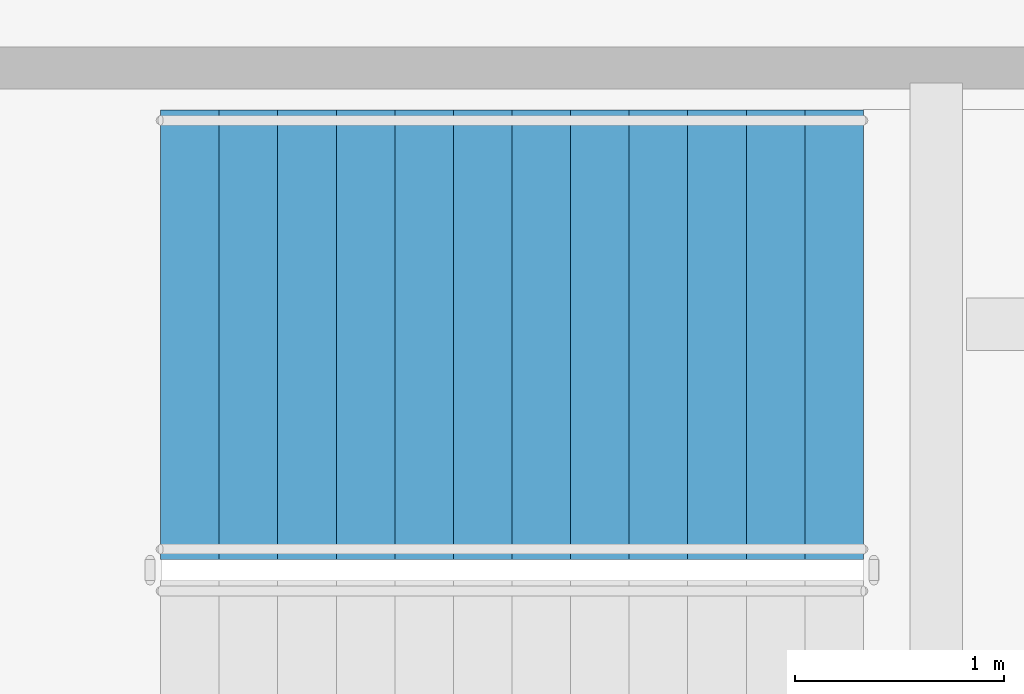
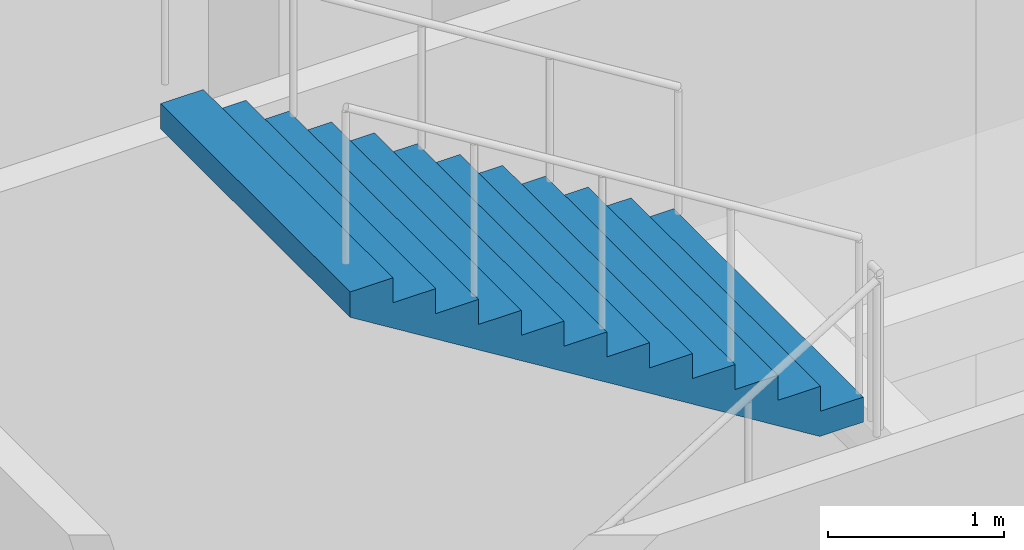
# One storey, part 14 of 20: 1 stair flight, 1 element without a shape of its own.
"""IFC4 building model written with IfcOpenShell, lengths in metres."""

from ifc_helpers import new_model, si_unit, direction, frame, origin, place, context, subcontext, project, spatial, triangles, material, type_object, element, aggregate, save


model = new_model("IFC4")

# Units and contexts
model_context = context("Model", 3, precision=1e-05, world=origin(), true_north=direction((0.0, 1.0)))
body_context = subcontext(model_context, "Body", "Model", "MODEL_VIEW")
ifc_project = project(units=[si_unit("LENGTHUNIT", "METRE"), si_unit("AREAUNIT", "SQUARE_METRE"), si_unit("VOLUMEUNIT", "CUBIC_METRE"), si_unit("PLANEANGLEUNIT", "RADIAN"), si_unit("MASSUNIT", "GRAM", prefix="KILO")], contexts=[model_context])

# Site, building, storey
site_placement = place(None, origin())
site = spatial("IfcSite", under=ifc_project, at=site_placement, CompositionType="ELEMENT")
building_placement = place(site_placement, origin())
building = spatial("IfcBuilding", under=site, at=building_placement, Name="Verdalira Terraces Hotel", CompositionType="ELEMENT")
storey_placement = place(building_placement, frame((0.0, 0.0, 23.5)))
storey = spatial("IfcBuildingStorey", under=building, at=storey_placement, Name="L04", CompositionType="ELEMENT", Elevation=23.5)

# Stair, stair flight
ifc_material_1 = material(Name="Concrete C40", Category="concrete")
stair_type = type_object("IfcStairType", Name="Podium stair 26 risers", PredefinedType="HALF_TURN_STAIR", material=ifc_material_1)
stair_placement = place(storey_placement, origin())
stair = element("IfcStair", 1, at=stair_placement, inside=storey, type_object=stair_type, Name="L04 Exit stair PS1", PredefinedType="HALF_TURN_STAIR")
ifc_material_2 = material(Name="Concrete C40", Category="concrete")
stair_flight_type = type_object("IfcStairFlightType", Name="Podium stair flight 26 risers", PredefinedType="STRAIGHT", material=ifc_material_2)
stair_flight_placement = place(storey_placement, frame((2.610107, 39.925049, 2.25), z_axis=(0.0, 0.0, 1.0), x_axis=(-1.0, 0.0, 0.0)))
stair_flight = element("IfcStairFlight", 2, at=stair_flight_placement, type_object=stair_flight_type, Name="PS1 flight 2", NumberOfRisers=13, NumberOfTreads=12, PredefinedType="STRAIGHT", RiserHeight=0.173076923, TreadLength=0.28, context=body_context, shape_type="Tessellation", body=[
    triangles([(0.0, 1.074951, 0.0), (0.285156, 1.074951, 0.0), (3.360107, 1.074951, 1.900635), (0.0, -1.074951, 0.0), (0.285156, -1.074951, 0.0), (3.360107, -1.074951, 1.900635), (3.360107, 1.074951, 2.076904), (3.080078, 1.074951, 2.076904), (3.360107, -1.074951, 2.076904), (3.080078, -1.074951, 2.076904), (3.080078, 1.074951, 1.903809), (3.080078, -1.074951, 1.903809), (2.800049, 1.074951, 1.903809), (2.800049, -1.074951, 1.903809), (2.800049, 1.074951, 1.730713), (2.800049, -1.074951, 1.730713), (2.52002, 1.074951, 1.730713), (2.52002, 1.074951, 1.557617), (2.52002, -1.074951, 1.730713), (2.52002, -1.074951, 1.557617), (2.23999, 1.074951, 1.557617), (2.23999, 1.074951, 1.384521), (2.23999, -1.074951, 1.557617), (2.23999, -1.074951, 1.384521), (1.959961, 1.074951, 1.384521), (1.959961, 1.074951, 1.211426), (1.959961, -1.074951, 1.384521), (1.959961, -1.074951, 1.211426), (1.679932, 1.074951, 1.211426), (1.679932, 1.074951, 1.038574), (1.679932, -1.074951, 1.211426), (1.679932, -1.074951, 1.038574), (1.399902, 1.074951, 1.038574), (1.399902, 1.074951, 0.865479), (1.399902, -1.074951, 1.038574), (1.399902, -1.074951, 0.865479), (1.120117, 1.074951, 0.865479), (1.120117, 1.074951, 0.692383), (1.120117, -1.074951, 0.865479), (1.120117, -1.074951, 0.692383), (0.840088, 1.074951, 0.692383), (0.840088, 1.074951, 0.519287), (0.840088, -1.074951, 0.692383), (0.840088, -1.074951, 0.519287), (0.560059, 1.074951, 0.519287), (0.560059, 1.074951, 0.346191), (0.560059, -1.074951, 0.519287), (0.560059, -1.074951, 0.346191), (0.280029, 1.074951, 0.346191), (0.280029, 1.074951, 0.173096), (0.280029, -1.074951, 0.346191), (0.280029, -1.074951, 0.173096), (0.0, 1.074951, 0.173096), (0.0, -1.074951, 0.173096), (0.0, -1.007767, 0.0), (0.0, -1.007767, 0.173096), (0.0, -0.940582, 0.0), (0.0, -0.940582, 0.173096), (0.0, -0.873398, 0.0), (0.0, -0.873398, 0.173096), (0.0, -0.806213, 0.0), (0.0, -0.806213, 0.173096), (0.0, -0.739029, 0.0), (0.0, -0.739029, 0.173096), (0.0, -0.671844, 0.0), (0.0, -0.671844, 0.173096), (0.0, -0.60466, 0.0), (0.0, -0.60466, 0.173096), (0.0, -0.537476, 0.0), (0.0, -0.537476, 0.173096), (0.0, -0.470291, 0.0), (0.0, -0.470291, 0.173096), (0.0, -0.403107, 0.0), (0.0, -0.403107, 0.173096), (0.0, -0.335922, 0.0), (0.0, -0.335922, 0.173096), (0.0, -0.268738, 0.0), (0.0, -0.268738, 0.173096), (0.0, -0.201553, 0.0), (0.0, -0.201553, 0.173096), (0.0, -0.134369, 0.0), (0.0, -0.134369, 0.173096), (0.0, -0.067184, 0.0), (0.0, -0.067184, 0.173096), (0.0, 0.0, 0.0), (0.0, 0.0, 0.173096), (0.0, 0.067184, 0.0), (0.0, 0.067184, 0.173096), (0.0, 0.134369, 0.0), (0.0, 0.134369, 0.173096), (0.0, 0.201553, 0.0), (0.0, 0.201553, 0.173096), (0.0, 0.268738, 0.0), (0.0, 0.268738, 0.173096), (0.0, 0.335922, 0.0), (0.0, 0.335922, 0.173096), (0.0, 0.403107, 0.0), (0.0, 0.403107, 0.173096), (0.0, 0.470291, 0.0), (0.0, 0.470291, 0.173096), (0.0, 0.537476, 0.0), (0.0, 0.537476, 0.173096), (0.0, 0.60466, 0.0), (0.0, 0.60466, 0.173096), (0.0, 0.671844, 0.0), (0.0, 0.671844, 0.173096), (0.0, 0.739029, 0.0), (0.0, 0.739029, 0.173096), (0.0, 0.806213, 0.0), (0.0, 0.806213, 0.173096), (0.0, 0.873398, 0.0), (0.0, 0.873398, 0.173096), (0.0, 0.940582, 0.0), (0.0, 0.940582, 0.173096), (0.0, 1.007767, 0.0), (0.0, 1.007767, 0.173096), (3.360107, -1.007767, 2.076904), (3.360107, -0.940582, 2.076904), (3.360107, -0.873398, 2.076904), (3.360107, -0.806213, 2.076904), (3.360107, -0.739029, 2.076904), (3.360107, -0.671844, 2.076904), (3.360107, -0.60466, 2.076904), (3.360107, -0.537476, 2.076904), (3.360107, -0.470291, 2.076904), (3.360107, -0.403107, 2.076904), (3.360107, -0.335922, 2.076904), (3.360107, -0.268738, 2.076904), (3.360107, -0.201553, 2.076904), (3.360107, -0.134369, 2.076904), (3.360107, -0.067184, 2.076904), (3.360107, 0.0, 2.076904), (3.360107, 0.067184, 2.076904), (3.360107, 0.134369, 2.076904), (3.360107, 0.201553, 2.076904), (3.360107, 0.268738, 2.076904), (3.360107, 0.335922, 2.076904), (3.360107, 0.403107, 2.076904), (3.360107, 0.470291, 2.076904), (3.360107, 0.537476, 2.076904), (3.360107, 0.60466, 2.076904), (3.360107, 0.671844, 2.076904), (3.360107, 0.739029, 2.076904), (3.360107, 0.806213, 2.076904), (3.360107, 0.873398, 2.076904), (3.360107, 0.940582, 2.076904), (3.360107, 1.007767, 2.076904), (3.360107, -1.007767, 1.900635), (3.360107, -0.940582, 1.900635), (3.360107, -0.873398, 1.900635), (3.360107, -0.806213, 1.900635), (3.360107, -0.739029, 1.900635), (3.360107, -0.671844, 1.900635), (3.360107, -0.60466, 1.900635), (3.360107, -0.537476, 1.900635), (3.360107, -0.470291, 1.900635), (3.360107, -0.403107, 1.900635), (3.360107, -0.335922, 1.900635), (3.360107, -0.268738, 1.900635), (3.360107, -0.201553, 1.900635), (3.360107, -0.134369, 1.900635), (3.360107, -0.067184, 1.900635), (3.360107, 0.0, 1.900635), (3.360107, 0.067184, 1.900635), (3.360107, 0.134369, 1.900635), (3.360107, 0.201553, 1.900635), (3.360107, 0.268738, 1.900635), (3.360107, 0.335922, 1.900635), (3.360107, 0.403107, 1.900635), (3.360107, 0.470291, 1.900635), (3.360107, 0.537476, 1.900635), (3.360107, 0.60466, 1.900635), (3.360107, 0.671844, 1.900635), (3.360107, 0.739029, 1.900635), (3.360107, 0.806213, 1.900635), (3.360107, 0.873398, 1.900635), (3.360107, 0.940582, 1.900635), (3.360107, 1.007767, 1.900635)], [[1, 3, 2], [4, 5, 6], [3, 8, 7], [6, 9, 10], [3, 11, 8], [6, 10, 12], [3, 13, 11], [6, 12, 14], [3, 15, 13], [6, 14, 16], [15, 18, 17], [16, 19, 20], [3, 18, 15], [6, 16, 20], [18, 22, 21], [20, 23, 24], [3, 22, 18], [6, 20, 24], [22, 26, 25], [24, 27, 28], [3, 26, 22], [6, 24, 28], [1, 26, 3], [4, 6, 28], [26, 30, 29], [28, 31, 32], [30, 34, 33], [32, 35, 36], [26, 34, 30], [28, 32, 36], [34, 38, 37], [36, 39, 40], [26, 38, 34], [28, 36, 40], [38, 42, 41], [40, 43, 44], [26, 42, 38], [28, 40, 44], [42, 46, 45], [44, 47, 48], [26, 46, 42], [28, 44, 48], [46, 50, 49], [48, 51, 52], [26, 50, 46], [28, 48, 52], [1, 50, 26], [4, 28, 52], [50, 1, 53], [52, 54, 4], [4, 56, 55], [4, 54, 56], [55, 58, 57], [55, 56, 58], [57, 60, 59], [57, 58, 60], [59, 62, 61], [59, 60, 62], [61, 64, 63], [61, 62, 64], [63, 66, 65], [63, 64, 66], [65, 68, 67], [65, 66, 68], [67, 70, 69], [67, 68, 70], [69, 72, 71], [69, 70, 72], [71, 74, 73], [71, 72, 74], [73, 76, 75], [73, 74, 76], [75, 78, 77], [75, 76, 78], [77, 80, 79], [77, 78, 80], [79, 82, 81], [79, 80, 82], [81, 84, 83], [81, 82, 84], [83, 86, 85], [83, 84, 86], [85, 88, 87], [85, 86, 88], [87, 90, 89], [87, 88, 90], [89, 92, 91], [89, 90, 92], [91, 94, 93], [91, 92, 94], [93, 96, 95], [93, 94, 96], [95, 98, 97], [95, 96, 98], [97, 100, 99], [97, 98, 100], [99, 102, 101], [99, 100, 102], [101, 104, 103], [101, 102, 104], [103, 106, 105], [103, 104, 106], [105, 108, 107], [105, 106, 108], [107, 110, 109], [107, 108, 110], [109, 112, 111], [109, 110, 112], [111, 114, 113], [111, 112, 114], [113, 116, 115], [113, 114, 116], [115, 53, 1], [115, 116, 53], [54, 52, 56], [56, 52, 58], [58, 52, 60], [60, 52, 62], [62, 52, 64], [64, 52, 66], [66, 52, 68], [68, 52, 70], [70, 52, 72], [72, 52, 74], [74, 52, 76], [76, 52, 78], [78, 52, 80], [80, 52, 82], [82, 52, 84], [84, 52, 86], [86, 52, 88], [88, 52, 90], [90, 52, 92], [92, 52, 94], [94, 52, 96], [96, 52, 98], [98, 52, 100], [100, 52, 102], [102, 52, 104], [104, 52, 106], [106, 52, 108], [108, 52, 110], [110, 52, 112], [112, 52, 114], [114, 52, 116], [116, 52, 53], [53, 52, 50], [52, 49, 50], [52, 51, 49], [51, 46, 49], [51, 48, 46], [48, 45, 46], [48, 47, 45], [47, 42, 45], [47, 44, 42], [44, 41, 42], [44, 43, 41], [43, 38, 41], [43, 40, 38], [40, 37, 38], [40, 39, 37], [39, 34, 37], [39, 36, 34], [36, 33, 34], [36, 35, 33], [35, 30, 33], [35, 32, 30], [32, 29, 30], [32, 31, 29], [31, 26, 29], [31, 28, 26], [28, 25, 26], [28, 27, 25], [27, 22, 25], [27, 24, 22], [24, 21, 22], [24, 23, 21], [23, 18, 21], [23, 20, 18], [20, 17, 18], [20, 19, 17], [19, 15, 17], [19, 16, 15], [16, 13, 15], [16, 14, 13], [14, 11, 13], [14, 12, 11], [12, 8, 11], [12, 10, 8], [9, 117, 10], [117, 118, 10], [118, 119, 10], [119, 120, 10], [120, 121, 10], [121, 122, 10], [122, 123, 10], [123, 124, 10], [124, 125, 10], [125, 126, 10], [126, 127, 10], [127, 128, 10], [128, 129, 10], [129, 130, 10], [130, 131, 10], [131, 132, 10], [132, 133, 10], [133, 134, 10], [134, 135, 10], [135, 136, 10], [136, 137, 10], [137, 138, 10], [138, 139, 10], [139, 140, 10], [140, 141, 10], [141, 142, 10], [142, 143, 10], [143, 144, 10], [144, 145, 10], [145, 146, 10], [146, 147, 10], [147, 7, 10], [7, 8, 10], [9, 148, 117], [9, 6, 148], [117, 149, 118], [117, 148, 149], [118, 150, 119], [118, 149, 150], [119, 151, 120], [119, 150, 151], [120, 152, 121], [120, 151, 152], [121, 153, 122], [121, 152, 153], [122, 154, 123], [122, 153, 154], [123, 155, 124], [123, 154, 155], [124, 156, 125], [124, 155, 156], [125, 157, 126], [125, 156, 157], [126, 158, 127], [126, 157, 158], [127, 159, 128], [127, 158, 159], [128, 160, 129], [128, 159, 160], [129, 161, 130], [129, 160, 161], [130, 162, 131], [130, 161, 162], [131, 163, 132], [131, 162, 163], [132, 164, 133], [132, 163, 164], [133, 165, 134], [133, 164, 165], [134, 166, 135], [134, 165, 166], [135, 167, 136], [135, 166, 167], [136, 168, 137], [136, 167, 168], [137, 169, 138], [137, 168, 169], [138, 170, 139], [138, 169, 170], [139, 171, 140], [139, 170, 171], [140, 172, 141], [140, 171, 172], [141, 173, 142], [141, 172, 173], [142, 174, 143], [142, 173, 174], [143, 175, 144], [143, 174, 175], [144, 176, 145], [144, 175, 176], [145, 177, 146], [145, 176, 177], [146, 178, 147], [146, 177, 178], [147, 3, 7], [147, 178, 3], [6, 5, 148], [148, 5, 149], [149, 5, 150], [150, 5, 151], [151, 5, 152], [152, 5, 153], [153, 5, 154], [154, 5, 155], [155, 5, 156], [156, 5, 157], [157, 5, 158], [158, 5, 159], [159, 5, 160], [160, 5, 161], [161, 5, 162], [162, 5, 163], [163, 5, 164], [164, 5, 165], [165, 5, 166], [166, 5, 167], [167, 5, 168], [168, 5, 169], [169, 5, 170], [170, 5, 171], [171, 5, 172], [172, 5, 173], [173, 5, 174], [174, 5, 175], [175, 5, 176], [176, 5, 177], [177, 5, 178], [178, 5, 3], [3, 5, 2], [4, 55, 5], [55, 57, 5], [57, 59, 5], [59, 61, 5], [61, 63, 5], [63, 65, 5], [65, 67, 5], [67, 69, 5], [69, 71, 5], [71, 73, 5], [73, 75, 5], [75, 77, 5], [77, 79, 5], [79, 81, 5], [81, 83, 5], [83, 85, 5], [85, 87, 5], [87, 89, 5], [89, 91, 5], [91, 93, 5], [93, 95, 5], [95, 97, 5], [97, 99, 5], [99, 101, 5], [101, 103, 5], [103, 105, 5], [105, 107, 5], [107, 109, 5], [109, 111, 5], [111, 113, 5], [113, 115, 5], [115, 1, 5], [1, 2, 5]], closed=True),
])
aggregate(stair, [stair_flight])

save(model, "model.ifc")
